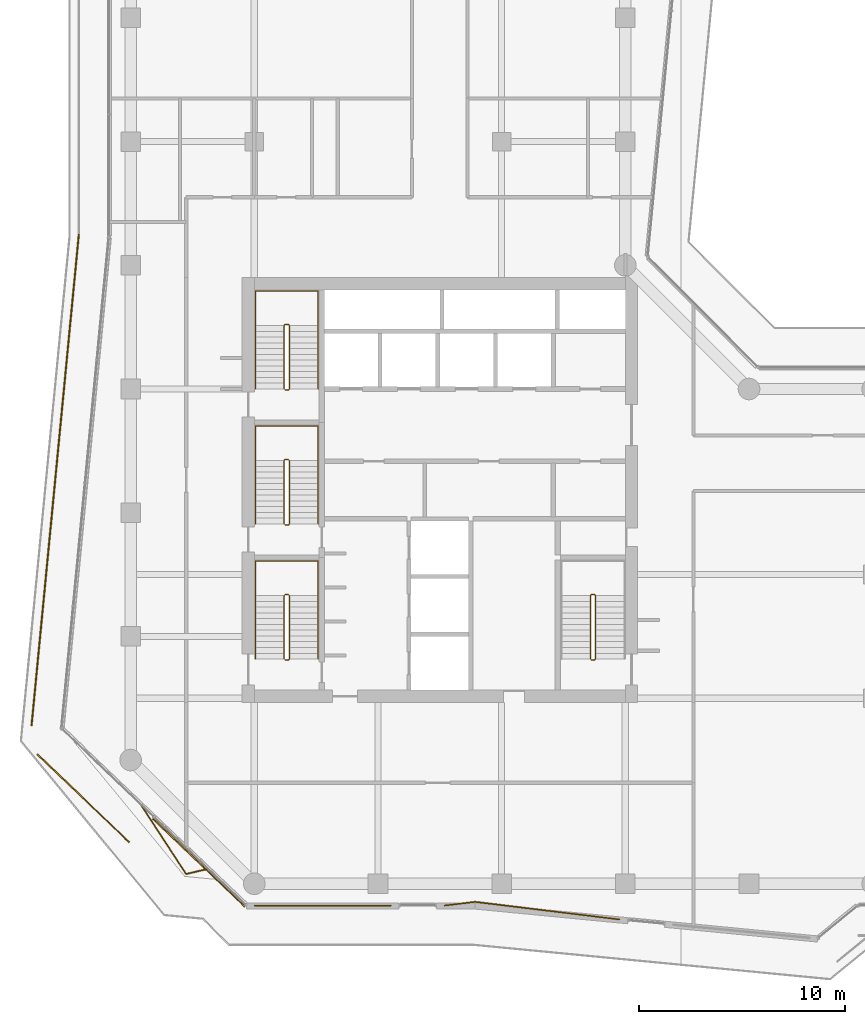
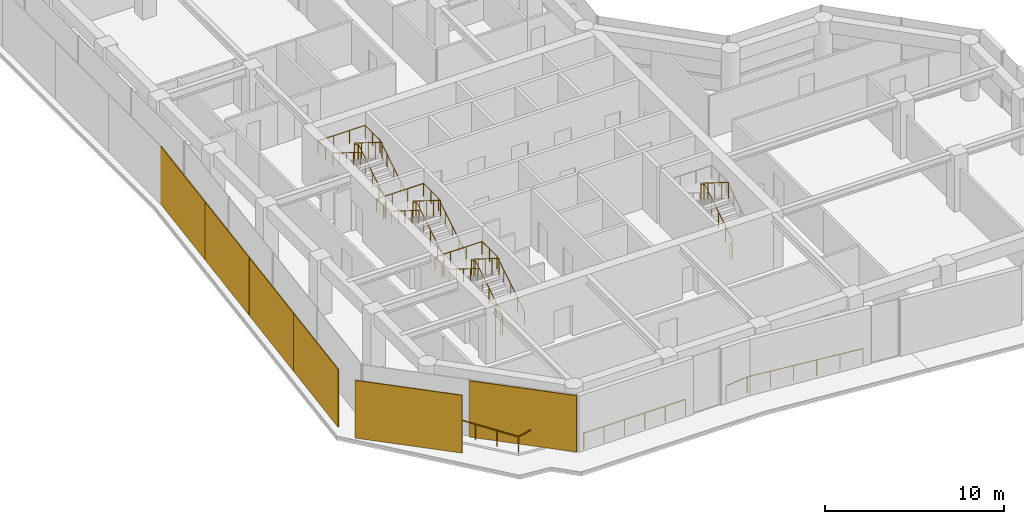
# One storey, part 22 of 23: 10 railings, 6 coverings.
"""IFC4 building model written with IfcOpenShell, lengths in metres."""

from ifc_helpers import new_model, si_unit, direction, frame, origin, origin_2d, place, context, subcontext, project, spatial, rectangle, circle, extrude, material, layer, layer_set, type_object, element, save


model = new_model("IFC4")

# Units and contexts
model_context = context("Model", 3, precision=1e-05, world=origin(), true_north=direction((0.0, 1.0)))
body_context = subcontext(model_context, "Body", "Model", "MODEL_VIEW")
ifc_project = project(units=[si_unit("LENGTHUNIT", "METRE"), si_unit("AREAUNIT", "SQUARE_METRE"), si_unit("VOLUMEUNIT", "CUBIC_METRE"), si_unit("PLANEANGLEUNIT", "RADIAN"), si_unit("MASSUNIT", "GRAM", prefix="KILO")], contexts=[model_context])

# Site, building, storey
site_placement = place(None, origin())
site = spatial("IfcSite", under=ifc_project, at=site_placement, CompositionType="ELEMENT")
building_placement = place(site_placement, origin())
building = spatial("IfcBuilding", under=site, at=building_placement, Name="Welwitschia Terrace Campus", CompositionType="ELEMENT")
storey_placement = place(building_placement, frame((0.0, 0.0, 146.60009765625)))
storey = spatial("IfcBuildingStorey", under=building, at=storey_placement, Name="L32", CompositionType="ELEMENT", Elevation=146.60009765625)

# Coverings
ifc_material_1 = material(Name="Bronze mesh aluminium screen", Category="aluminium")
ifc_layer = layer(ifc_material_1, 0.06005859375)
ifc_layer_set = layer_set([ifc_layer], Name="Bronze mesh aluminium screen")
covering_type = type_object("IfcCoveringType", Name="Bronze screen 60", PredefinedType="USERDEFINED", material=ifc_layer_set)
for number, where, z_axis, x_axis, name in (
    (1, (-2.79638671875, 24.533203125, 0.0), (0.0, 0.0, 1.0), (-0.09584575252, -0.995396198367, 0.0), "Screen L32.1.0"),
    (2, (-3.37060546875, 18.5703125, 0.0), (0.0, 0.0, 1.0), (-0.09584575252, -0.995396198367, 0.0), "Screen L32.1.1"),
    (3, (-3.944580078125, 12.607421875, 0.0), (0.0, 0.0, 1.0), (-0.09584575252, -0.995396198367, 0.0), "Screen L32.1.2"),
    (4, (-4.518798828125, 6.644775390625, 0.0), (0.0, 0.0, 1.0), (-0.09584575252, -0.995396198367, 0.0), "Screen L32.1.3"),
):
    element("IfcCovering", number, at=place(storey_placement, frame(where, z_axis=z_axis, x_axis=x_axis)), inside=storey, type_object=covering_type, Name=name, ObjectType="SCREEN", PredefinedType="USERDEFINED", context=body_context, shape_type="SweptSolid", body=[
        extrude(rectangle(XDim=5.970458984375, YDim=0.06005859375, at=origin_2d()), origin(), (0.0, 0.0, 1.0), 3.949951171875),
    ])
covering_1_placement = place(storey_placement, frame((-2.29248046875, 0.14404296875, 0.0), z_axis=(0.0, 0.0, 1.0), x_axis=(0.722587544279, -0.691279423137, 0.0)))
element("IfcCovering", 5, at=covering_1_placement, inside=storey, type_object=covering_type, Name="Screen L32.2.0", ObjectType="SCREEN", PredefinedType="USERDEFINED", context=body_context, shape_type="SweptSolid", body=[
    extrude(rectangle(XDim=6.18701171875, YDim=0.06005859375, at=origin_2d()), origin(), (0.0, 0.0, 1.0), 3.949951171875),
])
covering_2_placement = place(storey_placement, frame((3.310791015625, -2.977783203125, -0.000244140625), z_axis=(0.0, 0.0, 1.0), x_axis=(0.722587544279, -0.691279423137, 0.0)))
element("IfcCovering", 6, at=covering_2_placement, inside=storey, type_object=covering_type, Name="Screen L32.2.1", ObjectType="SCREEN", PredefinedType="USERDEFINED", context=body_context, shape_type="SweptSolid", body=[
    extrude(rectangle(XDim=6.18701171875, YDim=0.06005859375, at=origin_2d()), origin(), (0.0, 0.0, 1.0), 3.85009765625),
])

# Railings
ifc_material_2 = material(Name="Stainless steel grade 316", Category="steel")
railing_type_1 = type_object("IfcRailingType", Name="Guard 1100", PredefinedType="GUARDRAIL", material=ifc_material_2)
railing_1_placement = place(storey_placement, frame((3.75439453125, -3.277587890625, 0.0)))
element("IfcRailing", 7, at=railing_1_placement, inside=storey, type_object=railing_type_1, Name="Guard floor edge L32.0", PredefinedType="GUARDRAIL", context=body_context, shape_type="SweptSolid", body=[
    extrude(circle(Radius=0.02392578125, at=origin_2d()), frame((0.0, 0.0, 1.076171875), z_axis=(-0.972925881664, -0.231117348525, 0.0), x_axis=(0.231117348525, -0.972925881664, 0.0)), (0.0, 0.0, 1.0), 1.09326171875),
    extrude(circle(Radius=0.02392578125, at=origin_2d()), frame((-1.063720703125, -0.252685546875, 1.076171875), z_axis=(-0.547021847977, 0.83711832965, 0.0), x_axis=(-0.83711832965, -0.547021847977, 0.0)), (0.0, 0.0, 1.0), 4.048095703125),
    extrude(circle(Radius=0.02099609375, at=origin_2d()), origin(), (0.0, 0.0, 1.0), 1.052001953125),
    extrude(circle(Radius=0.02099609375, at=origin_2d()), frame((-1.063720703125, -0.252685546875, 0.0)), (0.0, 0.0, 1.0), 1.052001953125),
    extrude(circle(Radius=0.02099609375, at=origin_2d()), frame((-1.8017578125, 0.876953125, 0.0)), (0.0, 0.0, 1.0), 1.052001953125),
    extrude(circle(Radius=0.02099609375, at=origin_2d()), frame((-2.5400390625, 2.00634765625, 0.0)), (0.0, 0.0, 1.0), 1.052001953125),
    extrude(circle(Radius=0.02099609375, at=origin_2d()), frame((-3.278076171875, 3.135986328125, 0.0)), (0.0, 0.0, 1.0), 1.052001953125),
])
railing_2_placement = place(storey_placement, frame((12.616455078125, -5.05810546875, 0.0)))
element("IfcRailing", 8, at=railing_2_placement, inside=storey, type_object=railing_type_1, Name="Guard floor edge L32.2", PredefinedType="GUARDRAIL", context=body_context, shape_type="SweptSolid", body=[
    extrude(circle(Radius=0.02392578125, at=origin_2d()), frame((0.0, 0.0, 1.076171875), z_axis=(-1.0, 0.0, 0.0), x_axis=(0.0, -1.0, 0.0)), (0.0, 0.0, 1.0), 6.587890625),
    extrude(circle(Radius=0.02099609375, at=origin_2d()), origin(), (0.0, 0.0, 1.0), 1.052001953125),
    extrude(circle(Radius=0.02099609375, at=origin_2d()), frame((-1.317626953125, 0.0, 0.0)), (0.0, 0.0, 1.0), 1.052001953125),
    extrude(circle(Radius=0.02099609375, at=origin_2d()), frame((-2.63525390625, 0.0, 0.0)), (0.0, 0.0, 1.0), 1.052001953125),
    extrude(circle(Radius=0.02099609375, at=origin_2d()), frame((-3.95263671875, 0.0, 0.0)), (0.0, 0.0, 1.0), 1.052001953125),
    extrude(circle(Radius=0.02099609375, at=origin_2d()), frame((-5.270263671875, 0.0, 0.0)), (0.0, 0.0, 1.0), 1.052001953125),
    extrude(circle(Radius=0.02099609375, at=origin_2d()), frame((-6.587890625, 0.0, 0.0)), (0.0, 0.0, 1.0), 1.052001953125),
])
railing_3_placement = place(storey_placement, frame((23.710693359375, -5.73291015625, 0.0)))
element("IfcRailing", 9, at=railing_3_placement, inside=storey, type_object=railing_type_1, Name="Guard floor edge L32.3", PredefinedType="GUARDRAIL", context=body_context, shape_type="SweptSolid", body=[
    extrude(circle(Radius=0.02392578125, at=origin_2d()), frame((0.0, 0.0, 1.076171875), z_axis=(-0.992659668, 0.120941239975, 0.0), x_axis=(-0.120941239975, -0.992659668, 0.0)), (0.0, 0.0, 1.0), 7.05322265625),
    extrude(circle(Radius=0.02392578125, at=origin_2d()), frame((-7.00146484375, 0.85302734375, 1.076171875), z_axis=(-0.992699050053, -0.120617561008, 0.0), x_axis=(0.120617561008, -0.992699050053, 0.0)), (0.0, 0.0, 1.0), 1.4775390625),
    extrude(circle(Radius=0.02099609375, at=origin_2d()), origin(), (0.0, 0.0, 1.0), 1.052001953125),
    extrude(circle(Radius=0.02099609375, at=origin_2d()), frame((-1.400390625, 0.170654296875, 0.0)), (0.0, 0.0, 1.0), 1.052001953125),
    extrude(circle(Radius=0.02099609375, at=origin_2d()), frame((-2.800537109375, 0.34130859375, 0.0)), (0.0, 0.0, 1.0), 1.052001953125),
    extrude(circle(Radius=0.02099609375, at=origin_2d()), frame((-4.200927734375, 0.51171875, 0.0)), (0.0, 0.0, 1.0), 1.052001953125),
    extrude(circle(Radius=0.02099609375, at=origin_2d()), frame((-5.60107421875, 0.682373046875, 0.0)), (0.0, 0.0, 1.0), 1.052001953125),
    extrude(circle(Radius=0.02099609375, at=origin_2d()), frame((-7.00146484375, 0.85302734375, 0.0)), (0.0, 0.0, 1.0), 1.052001953125),
    extrude(circle(Radius=0.02099609375, at=origin_2d()), frame((-8.46826171875, 0.6748046875, 0.0)), (0.0, 0.0, 1.0), 1.052001953125),
])
ifc_material_3 = material(Name="Steel S355", Category="steel")
railing_type_2 = type_object("IfcRailingType", Name="Stair guard 1100", PredefinedType="GUARDRAIL", material=ifc_material_3)
railing_4_placement = place(storey_placement, frame((7.5, 6.85009765625, 0.0)))
element("IfcRailing", 10, at=railing_4_placement, inside=storey, type_object=railing_type_2, Name="L32 S1 stair guard", PredefinedType="GUARDRAIL", context=body_context, shape_type="SweptSolid", body=[
    extrude(circle(Radius=0.02392578125, at=origin_2d()), frame((0.0, 0.0, 1.076171875), z_axis=(1.0, 0.0, 0.0), x_axis=(0.0, 1.0, 0.0)), (0.0, 0.0, 1.0), 0.14990234375),
    extrude(circle(Radius=0.02392578125, at=origin_2d()), frame((0.14990234375, 0.0, 1.076171875), z_axis=(0.265474339444, 0.264179342666, 0.927217692888), x_axis=(-0.705375805398, 0.708833529934, 0.0)), (0.0, 0.0, 1.0), 0.1884765625),
    extrude(circle(Radius=0.02392578125, at=origin_2d()), frame((0.199951171875, 0.0498046875, 1.2509765625), z_axis=(0.0, 0.847998304005, 0.529998940003), x_axis=(-1.0, 0.0, 0.0)), (0.0, 0.0, 1.0), 3.632080078125),
    extrude(circle(Radius=0.02392578125, at=origin_2d()), frame((0.199951171875, 3.1298828125, 3.17578125), z_axis=(-0.707106781187, 0.707106781187, 0.0), x_axis=(-0.707106781187, -0.707106781187, 0.0)), (0.0, 0.0, 1.0), 0.07080078125),
    extrude(circle(Radius=0.02392578125, at=origin_2d()), frame((0.14990234375, 3.179931640625, 3.17578125), z_axis=(-1.0, 0.0, 0.0), x_axis=(0.0, -1.0, 0.0)), (0.0, 0.0, 1.0), 0.14990234375),
    extrude(circle(Radius=0.02392578125, at=origin_2d()), frame((0.0, 3.179931640625, 3.17578125), z_axis=(-0.265065253269, -0.265065253269, 0.927081885822), x_axis=(0.707106781187, -0.707106781187, 0.0)), (0.0, 0.0, 1.0), 0.188720703125),
    extrude(circle(Radius=0.02392578125, at=origin_2d()), frame((-0.050048828125, 3.1298828125, 3.35107421875), z_axis=(0.0, -0.847998304005, 0.529998940003), x_axis=(1.0, 0.0, 0.0)), (0.0, 0.0, 1.0), 3.632080078125),
    extrude(circle(Radius=0.02099609375, at=origin_2d()), origin(), (0.0, 0.0, 1.0), 1.052001953125),
    extrude(circle(Radius=0.02099609375, at=origin_2d()), frame((0.14990234375, 0.0, 0.0)), (0.0, 0.0, 1.0), 1.052001953125),
    extrude(circle(Radius=0.02099609375, at=origin_2d()), frame((0.199951171875, 0.0498046875, 0.1748046875)), (0.0, 0.0, 1.0), 1.052001953125),
    extrude(circle(Radius=0.02099609375, at=origin_2d()), frame((0.199951171875, 0.81982421875, 0.656005859375)), (0.0, 0.0, 1.0), 1.052001953125),
    extrude(circle(Radius=0.02099609375, at=origin_2d()), frame((0.199951171875, 1.58984375, 1.13720703125)), (0.0, 0.0, 1.0), 1.052001953125),
    extrude(circle(Radius=0.02099609375, at=origin_2d()), frame((0.199951171875, 2.35986328125, 1.61865234375)), (0.0, 0.0, 1.0), 1.052001953125),
    extrude(circle(Radius=0.02099609375, at=origin_2d()), frame((0.199951171875, 3.1298828125, 2.099853515625)), (0.0, 0.0, 1.0), 1.052001953125),
    extrude(circle(Radius=0.02099609375, at=origin_2d()), frame((0.14990234375, 3.179931640625, 2.099853515625)), (0.0, 0.0, 1.0), 1.052001953125),
    extrude(circle(Radius=0.02099609375, at=origin_2d()), frame((0.0, 3.179931640625, 2.099853515625)), (0.0, 0.0, 1.0), 1.052001953125),
    extrude(circle(Radius=0.02099609375, at=origin_2d()), frame((-0.050048828125, 3.1298828125, 2.27490234375)), (0.0, 0.0, 1.0), 1.052001953125),
    extrude(circle(Radius=0.02099609375, at=origin_2d()), frame((-0.050048828125, 2.35986328125, 2.756103515625)), (0.0, 0.0, 1.0), 1.052001953125),
    extrude(circle(Radius=0.02099609375, at=origin_2d()), frame((-0.050048828125, 1.58984375, 3.2373046875)), (0.0, 0.0, 1.0), 1.052001953125),
    extrude(circle(Radius=0.02099609375, at=origin_2d()), frame((-0.050048828125, 0.81982421875, 3.71875)), (0.0, 0.0, 1.0), 1.052001953125),
    extrude(circle(Radius=0.02099609375, at=origin_2d()), frame((-0.050048828125, 0.0498046875, 4.199951171875)), (0.0, 0.0, 1.0), 1.052001953125),
])
railing_5_placement = place(storey_placement, frame((7.5, 13.39990234375, 0.0)))
element("IfcRailing", 11, at=railing_5_placement, inside=storey, type_object=railing_type_2, Name="L32 S3 stair guard", PredefinedType="GUARDRAIL", context=body_context, shape_type="SweptSolid", body=[
    extrude(circle(Radius=0.02392578125, at=origin_2d()), frame((0.0, 0.0, 1.076171875), z_axis=(1.0, 0.0, 0.0), x_axis=(0.0, 1.0, 0.0)), (0.0, 0.0, 1.0), 0.14990234375),
    extrude(circle(Radius=0.02392578125, at=origin_2d()), frame((0.14990234375, 0.0, 1.076171875), z_axis=(0.265383341853, 0.265383341853, 0.926899867156), x_axis=(-0.707106781187, 0.707106781187, 0.0)), (0.0, 0.0, 1.0), 0.1884765625),
    extrude(circle(Radius=0.02392578125, at=origin_2d()), frame((0.199951171875, 0.050048828125, 1.2509765625), z_axis=(0.0, 0.847998304005, 0.529998940003), x_axis=(-1.0, 0.0, 0.0)), (0.0, 0.0, 1.0), 3.632080078125),
    extrude(circle(Radius=0.02392578125, at=origin_2d()), frame((0.199951171875, 3.130126953125, 3.17578125), z_axis=(-0.707106781187, 0.707106781187, 0.0), x_axis=(-0.707106781187, -0.707106781187, 0.0)), (0.0, 0.0, 1.0), 0.07080078125),
    extrude(circle(Radius=0.02392578125, at=origin_2d()), frame((0.14990234375, 3.18017578125, 3.17578125), z_axis=(-1.0, 0.0, 0.0), x_axis=(0.0, -1.0, 0.0)), (0.0, 0.0, 1.0), 0.14990234375),
    extrude(circle(Radius=0.02392578125, at=origin_2d()), frame((0.0, 3.18017578125, 3.17578125), z_axis=(-0.265065253269, -0.265065253269, 0.927081885822), x_axis=(0.707106781187, -0.707106781187, 0.0)), (0.0, 0.0, 1.0), 0.188720703125),
    extrude(circle(Radius=0.02392578125, at=origin_2d()), frame((-0.050048828125, 3.130126953125, 3.35107421875), z_axis=(0.0, -0.847998304005, 0.529998940003), x_axis=(1.0, 0.0, 0.0)), (0.0, 0.0, 1.0), 3.632080078125),
    extrude(circle(Radius=0.02099609375, at=origin_2d()), origin(), (0.0, 0.0, 1.0), 1.052001953125),
    extrude(circle(Radius=0.02099609375, at=origin_2d()), frame((0.14990234375, 0.0, 0.0)), (0.0, 0.0, 1.0), 1.052001953125),
    extrude(circle(Radius=0.02099609375, at=origin_2d()), frame((0.199951171875, 0.050048828125, 0.1748046875)), (0.0, 0.0, 1.0), 1.052001953125),
    extrude(circle(Radius=0.02099609375, at=origin_2d()), frame((0.199951171875, 0.820068359375, 0.656005859375)), (0.0, 0.0, 1.0), 1.052001953125),
    extrude(circle(Radius=0.02099609375, at=origin_2d()), frame((0.199951171875, 1.590087890625, 1.13720703125)), (0.0, 0.0, 1.0), 1.052001953125),
    extrude(circle(Radius=0.02099609375, at=origin_2d()), frame((0.199951171875, 2.360107421875, 1.61865234375)), (0.0, 0.0, 1.0), 1.052001953125),
    extrude(circle(Radius=0.02099609375, at=origin_2d()), frame((0.199951171875, 3.130126953125, 2.099853515625)), (0.0, 0.0, 1.0), 1.052001953125),
    extrude(circle(Radius=0.02099609375, at=origin_2d()), frame((0.14990234375, 3.18017578125, 2.099853515625)), (0.0, 0.0, 1.0), 1.052001953125),
    extrude(circle(Radius=0.02099609375, at=origin_2d()), frame((0.0, 3.18017578125, 2.099853515625)), (0.0, 0.0, 1.0), 1.052001953125),
    extrude(circle(Radius=0.02099609375, at=origin_2d()), frame((-0.050048828125, 3.130126953125, 2.27490234375)), (0.0, 0.0, 1.0), 1.052001953125),
    extrude(circle(Radius=0.02099609375, at=origin_2d()), frame((-0.050048828125, 2.360107421875, 2.756103515625)), (0.0, 0.0, 1.0), 1.052001953125),
    extrude(circle(Radius=0.02099609375, at=origin_2d()), frame((-0.050048828125, 1.590087890625, 3.2373046875)), (0.0, 0.0, 1.0), 1.052001953125),
    extrude(circle(Radius=0.02099609375, at=origin_2d()), frame((-0.050048828125, 0.820068359375, 3.71875)), (0.0, 0.0, 1.0), 1.052001953125),
    extrude(circle(Radius=0.02099609375, at=origin_2d()), frame((-0.050048828125, 0.050048828125, 4.199951171875)), (0.0, 0.0, 1.0), 1.052001953125),
])
railing_6_placement = place(storey_placement, frame((7.5, 19.949951171875, 0.0)))
element("IfcRailing", 12, at=railing_6_placement, inside=storey, type_object=railing_type_2, Name="L32 S4 stair guard", PredefinedType="GUARDRAIL", context=body_context, shape_type="SweptSolid", body=[
    extrude(circle(Radius=0.02392578125, at=origin_2d()), frame((0.0, 0.0, 1.076171875), z_axis=(1.0, 0.0, 0.0), x_axis=(0.0, 1.0, 0.0)), (0.0, 0.0, 1.0), 0.14990234375),
    extrude(circle(Radius=0.02392578125, at=origin_2d()), frame((0.14990234375, 0.0, 1.076171875), z_axis=(0.265383341853, 0.265383341853, 0.926899867156), x_axis=(-0.707106781187, 0.707106781187, 0.0)), (0.0, 0.0, 1.0), 0.1884765625),
    extrude(circle(Radius=0.02392578125, at=origin_2d()), frame((0.199951171875, 0.050048828125, 1.2509765625), z_axis=(0.0, 0.847998304005, 0.529998940003), x_axis=(-1.0, 0.0, 0.0)), (0.0, 0.0, 1.0), 3.632080078125),
    extrude(circle(Radius=0.02392578125, at=origin_2d()), frame((0.199951171875, 3.130126953125, 3.17578125), z_axis=(-0.708833529934, 0.705375805398, 0.0), x_axis=(-0.705375805398, -0.708833529934, 0.0)), (0.0, 0.0, 1.0), 0.070556640625),
    extrude(circle(Radius=0.02392578125, at=origin_2d()), frame((0.14990234375, 3.179931640625, 3.17578125), z_axis=(-1.0, 0.0, 0.0), x_axis=(0.0, -1.0, 0.0)), (0.0, 0.0, 1.0), 0.14990234375),
    extrude(circle(Radius=0.02392578125, at=origin_2d()), frame((0.0, 3.179931640625, 3.17578125), z_axis=(-0.265155923931, -0.263862480399, 0.927399011991), x_axis=(0.705375805398, -0.708833529934, 0.0)), (0.0, 0.0, 1.0), 0.188720703125),
    extrude(circle(Radius=0.02392578125, at=origin_2d()), frame((-0.050048828125, 3.130126953125, 3.35107421875), z_axis=(0.0, -0.847998304005, 0.529998940003), x_axis=(1.0, 0.0, 0.0)), (0.0, 0.0, 1.0), 3.632080078125),
    extrude(circle(Radius=0.02099609375, at=origin_2d()), origin(), (0.0, 0.0, 1.0), 1.052001953125),
    extrude(circle(Radius=0.02099609375, at=origin_2d()), frame((0.14990234375, 0.0, 0.0)), (0.0, 0.0, 1.0), 1.052001953125),
    extrude(circle(Radius=0.02099609375, at=origin_2d()), frame((0.199951171875, 0.050048828125, 0.1748046875)), (0.0, 0.0, 1.0), 1.052001953125),
    extrude(circle(Radius=0.02099609375, at=origin_2d()), frame((0.199951171875, 0.820068359375, 0.656005859375)), (0.0, 0.0, 1.0), 1.052001953125),
    extrude(circle(Radius=0.02099609375, at=origin_2d()), frame((0.199951171875, 1.590087890625, 1.13720703125)), (0.0, 0.0, 1.0), 1.052001953125),
    extrude(circle(Radius=0.02099609375, at=origin_2d()), frame((0.199951171875, 2.360107421875, 1.61865234375)), (0.0, 0.0, 1.0), 1.052001953125),
    extrude(circle(Radius=0.02099609375, at=origin_2d()), frame((0.199951171875, 3.130126953125, 2.099853515625)), (0.0, 0.0, 1.0), 1.052001953125),
    extrude(circle(Radius=0.02099609375, at=origin_2d()), frame((0.14990234375, 3.179931640625, 2.099853515625)), (0.0, 0.0, 1.0), 1.052001953125),
    extrude(circle(Radius=0.02099609375, at=origin_2d()), frame((0.0, 3.179931640625, 2.099853515625)), (0.0, 0.0, 1.0), 1.052001953125),
    extrude(circle(Radius=0.02099609375, at=origin_2d()), frame((-0.050048828125, 3.130126953125, 2.27490234375)), (0.0, 0.0, 1.0), 1.052001953125),
    extrude(circle(Radius=0.02099609375, at=origin_2d()), frame((-0.050048828125, 2.360107421875, 2.756103515625)), (0.0, 0.0, 1.0), 1.052001953125),
    extrude(circle(Radius=0.02099609375, at=origin_2d()), frame((-0.050048828125, 1.590087890625, 3.2373046875)), (0.0, 0.0, 1.0), 1.052001953125),
    extrude(circle(Radius=0.02099609375, at=origin_2d()), frame((-0.050048828125, 0.820068359375, 3.71875)), (0.0, 0.0, 1.0), 1.052001953125),
    extrude(circle(Radius=0.02099609375, at=origin_2d()), frame((-0.050048828125, 0.050048828125, 4.199951171875)), (0.0, 0.0, 1.0), 1.052001953125),
])
railing_7_placement = place(storey_placement, frame((22.35009765625, 6.85009765625, 0.0)))
element("IfcRailing", 13, at=railing_7_placement, inside=storey, type_object=railing_type_2, Name="L32 S2 stair guard", PredefinedType="GUARDRAIL", context=body_context, shape_type="SweptSolid", body=[
    extrude(circle(Radius=0.02392578125, at=origin_2d()), frame((0.0, 0.0, 1.076171875), z_axis=(1.0, 0.0, 0.0), x_axis=(0.0, 1.0, 0.0)), (0.0, 0.0, 1.0), 0.14990234375),
    extrude(circle(Radius=0.02392578125, at=origin_2d()), frame((0.14990234375, 0.0, 1.076171875), z_axis=(0.265474339444, 0.264179342666, 0.927217692888), x_axis=(-0.705375805398, 0.708833529934, 0.0)), (0.0, 0.0, 1.0), 0.1884765625),
    extrude(circle(Radius=0.02392578125, at=origin_2d()), frame((0.199951171875, 0.0498046875, 1.2509765625), z_axis=(0.0, 0.847998304005, 0.529998940003), x_axis=(-1.0, 0.0, 0.0)), (0.0, 0.0, 1.0), 3.632080078125),
    extrude(circle(Radius=0.02392578125, at=origin_2d()), frame((0.199951171875, 3.1298828125, 3.17578125), z_axis=(-0.707106781187, 0.707106781187, 0.0), x_axis=(-0.707106781187, -0.707106781187, 0.0)), (0.0, 0.0, 1.0), 0.07080078125),
    extrude(circle(Radius=0.02392578125, at=origin_2d()), frame((0.14990234375, 3.179931640625, 3.17578125), z_axis=(-1.0, 0.0, 0.0), x_axis=(0.0, -1.0, 0.0)), (0.0, 0.0, 1.0), 0.14990234375),
    extrude(circle(Radius=0.02392578125, at=origin_2d()), frame((0.0, 3.179931640625, 3.17578125), z_axis=(-0.265065253269, -0.265065253269, 0.927081885822), x_axis=(0.707106781187, -0.707106781187, 0.0)), (0.0, 0.0, 1.0), 0.188720703125),
    extrude(circle(Radius=0.02392578125, at=origin_2d()), frame((-0.050048828125, 3.1298828125, 3.35107421875), z_axis=(0.0, -0.847998304005, 0.529998940003), x_axis=(1.0, 0.0, 0.0)), (0.0, 0.0, 1.0), 3.632080078125),
    extrude(circle(Radius=0.02099609375, at=origin_2d()), origin(), (0.0, 0.0, 1.0), 1.052001953125),
    extrude(circle(Radius=0.02099609375, at=origin_2d()), frame((0.14990234375, 0.0, 0.0)), (0.0, 0.0, 1.0), 1.052001953125),
    extrude(circle(Radius=0.02099609375, at=origin_2d()), frame((0.199951171875, 0.0498046875, 0.1748046875)), (0.0, 0.0, 1.0), 1.052001953125),
    extrude(circle(Radius=0.02099609375, at=origin_2d()), frame((0.199951171875, 0.81982421875, 0.656005859375)), (0.0, 0.0, 1.0), 1.052001953125),
    extrude(circle(Radius=0.02099609375, at=origin_2d()), frame((0.199951171875, 1.58984375, 1.13720703125)), (0.0, 0.0, 1.0), 1.052001953125),
    extrude(circle(Radius=0.02099609375, at=origin_2d()), frame((0.199951171875, 2.35986328125, 1.61865234375)), (0.0, 0.0, 1.0), 1.052001953125),
    extrude(circle(Radius=0.02099609375, at=origin_2d()), frame((0.199951171875, 3.1298828125, 2.099853515625)), (0.0, 0.0, 1.0), 1.052001953125),
    extrude(circle(Radius=0.02099609375, at=origin_2d()), frame((0.14990234375, 3.179931640625, 2.099853515625)), (0.0, 0.0, 1.0), 1.052001953125),
    extrude(circle(Radius=0.02099609375, at=origin_2d()), frame((0.0, 3.179931640625, 2.099853515625)), (0.0, 0.0, 1.0), 1.052001953125),
    extrude(circle(Radius=0.02099609375, at=origin_2d()), frame((-0.050048828125, 3.1298828125, 2.27490234375)), (0.0, 0.0, 1.0), 1.052001953125),
    extrude(circle(Radius=0.02099609375, at=origin_2d()), frame((-0.050048828125, 2.35986328125, 2.756103515625)), (0.0, 0.0, 1.0), 1.052001953125),
    extrude(circle(Radius=0.02099609375, at=origin_2d()), frame((-0.050048828125, 1.58984375, 3.2373046875)), (0.0, 0.0, 1.0), 1.052001953125),
    extrude(circle(Radius=0.02099609375, at=origin_2d()), frame((-0.050048828125, 0.81982421875, 3.71875)), (0.0, 0.0, 1.0), 1.052001953125),
    extrude(circle(Radius=0.02099609375, at=origin_2d()), frame((-0.050048828125, 0.0498046875, 4.199951171875)), (0.0, 0.0, 1.0), 1.052001953125),
])
ifc_material_4 = material(Name="Steel S355", Category="steel")
railing_type_3 = type_object("IfcRailingType", Name="Stair handrail 900", PredefinedType="HANDRAIL", material=ifc_material_4)
railing_8_placement = place(storey_placement, frame((9.10009765625, 6.89990234375, 0.1748046875)))
element("IfcRailing", 14, at=railing_8_placement, inside=storey, type_object=railing_type_3, Name="L32 S1 stair handrail", PredefinedType="HANDRAIL", context=body_context, shape_type="SweptSolid", body=[
    extrude(circle(Radius=0.02392578125, at=origin_2d()), frame((0.0, 0.0, 0.8759765625), z_axis=(0.0, 0.847998304005, 0.529998940003), x_axis=(-1.0, 0.0, 0.0)), (0.0, 0.0, 1.0), 3.632080078125),
    extrude(circle(Radius=0.02392578125, at=origin_2d()), frame((0.0, 3.080078125, 2.80078125), z_axis=(0.0, 1.0, 0.0), x_axis=(-1.0, 0.0, 0.0)), (0.0, 0.0, 1.0), 1.669921875),
    extrude(circle(Radius=0.02392578125, at=origin_2d()), frame((0.0, 4.75, 2.80078125), z_axis=(-1.0, 0.0, 0.0), x_axis=(0.0, -1.0, 0.0)), (0.0, 0.0, 1.0), 3.050048828125),
    extrude(circle(Radius=0.02392578125, at=origin_2d()), frame((-3.050048828125, 4.75, 2.80078125), z_axis=(0.0, -0.99455077262, 0.104253348533), x_axis=(1.0, 0.0, 0.0)), (0.0, 0.0, 1.0), 1.678955078125),
    extrude(circle(Radius=0.02392578125, at=origin_2d()), frame((-3.050048828125, 3.080078125, 2.97607421875), z_axis=(0.0, -0.847998304005, 0.529998940003), x_axis=(1.0, 0.0, 0.0)), (0.0, 0.0, 1.0), 3.632080078125),
    extrude(circle(Radius=0.02099609375, at=origin_2d()), origin(), (0.0, 0.0, 1.0), 0.851806640625),
    extrude(circle(Radius=0.02099609375, at=origin_2d()), frame((0.0, 0.77001953125, 0.481201171875)), (0.0, 0.0, 1.0), 0.851806640625),
    extrude(circle(Radius=0.02099609375, at=origin_2d()), frame((0.0, 1.5400390625, 0.96240234375)), (0.0, 0.0, 1.0), 0.851806640625),
    extrude(circle(Radius=0.02099609375, at=origin_2d()), frame((0.0, 2.31005859375, 1.44384765625)), (0.0, 0.0, 1.0), 0.851806640625),
    extrude(circle(Radius=0.02099609375, at=origin_2d()), frame((0.0, 3.080078125, 1.925048828125)), (0.0, 0.0, 1.0), 0.851806640625),
    extrude(circle(Radius=0.02099609375, at=origin_2d()), frame((0.0, 3.9150390625, 1.925048828125)), (0.0, 0.0, 1.0), 0.851806640625),
    extrude(circle(Radius=0.02099609375, at=origin_2d()), frame((0.0, 4.75, 1.925048828125)), (0.0, 0.0, 1.0), 0.851806640625),
    extrude(circle(Radius=0.02099609375, at=origin_2d()), frame((-1.0166015625, 4.75, 1.925048828125)), (0.0, 0.0, 1.0), 0.851806640625),
    extrude(circle(Radius=0.02099609375, at=origin_2d()), frame((-2.033447265625, 4.75, 1.925048828125)), (0.0, 0.0, 1.0), 0.851806640625),
    extrude(circle(Radius=0.02099609375, at=origin_2d()), frame((-3.050048828125, 4.75, 1.925048828125)), (0.0, 0.0, 1.0), 0.851806640625),
    extrude(circle(Radius=0.02099609375, at=origin_2d()), frame((-3.050048828125, 3.9150390625, 2.0126953125)), (0.0, 0.0, 1.0), 0.851806640625),
    extrude(circle(Radius=0.02099609375, at=origin_2d()), frame((-3.050048828125, 3.080078125, 2.10009765625)), (0.0, 0.0, 1.0), 0.851806640625),
    extrude(circle(Radius=0.02099609375, at=origin_2d()), frame((-3.050048828125, 2.31005859375, 2.581298828125)), (0.0, 0.0, 1.0), 0.851806640625),
    extrude(circle(Radius=0.02099609375, at=origin_2d()), frame((-3.050048828125, 1.5400390625, 3.0625)), (0.0, 0.0, 1.0), 0.851806640625),
    extrude(circle(Radius=0.02099609375, at=origin_2d()), frame((-3.050048828125, 0.77001953125, 3.5439453125)), (0.0, 0.0, 1.0), 0.851806640625),
    extrude(circle(Radius=0.02099609375, at=origin_2d()), frame((-3.050048828125, 0.0, 4.025146484375)), (0.0, 0.0, 1.0), 0.851806640625),
])
railing_9_placement = place(storey_placement, frame((9.10009765625, 13.449951171875, 0.1748046875)))
element("IfcRailing", 15, at=railing_9_placement, inside=storey, type_object=railing_type_3, Name="L32 S3 stair handrail", PredefinedType="HANDRAIL", context=body_context, shape_type="SweptSolid", body=[
    extrude(circle(Radius=0.02392578125, at=origin_2d()), frame((0.0, 0.0, 0.8759765625), z_axis=(0.0, 0.847998304005, 0.529998940003), x_axis=(-1.0, 0.0, 0.0)), (0.0, 0.0, 1.0), 3.632080078125),
    extrude(circle(Radius=0.02392578125, at=origin_2d()), frame((0.0, 3.080078125, 2.80078125), z_axis=(0.0, 1.0, 0.0), x_axis=(-1.0, 0.0, 0.0)), (0.0, 0.0, 1.0), 1.669921875),
    extrude(circle(Radius=0.02392578125, at=origin_2d()), frame((0.0, 4.75, 2.80078125), z_axis=(-1.0, 0.0, 0.0), x_axis=(0.0, -1.0, 0.0)), (0.0, 0.0, 1.0), 3.050048828125),
    extrude(circle(Radius=0.02392578125, at=origin_2d()), frame((-3.050048828125, 4.75, 2.80078125), z_axis=(0.0, -0.99455077262, 0.104253348533), x_axis=(1.0, 0.0, 0.0)), (0.0, 0.0, 1.0), 1.678955078125),
    extrude(circle(Radius=0.02392578125, at=origin_2d()), frame((-3.050048828125, 3.080078125, 2.97607421875), z_axis=(0.0, -0.847998304005, 0.529998940003), x_axis=(1.0, 0.0, 0.0)), (0.0, 0.0, 1.0), 3.632080078125),
    extrude(circle(Radius=0.02099609375, at=origin_2d()), origin(), (0.0, 0.0, 1.0), 0.851806640625),
    extrude(circle(Radius=0.02099609375, at=origin_2d()), frame((0.0, 0.77001953125, 0.481201171875)), (0.0, 0.0, 1.0), 0.851806640625),
    extrude(circle(Radius=0.02099609375, at=origin_2d()), frame((0.0, 1.5400390625, 0.96240234375)), (0.0, 0.0, 1.0), 0.851806640625),
    extrude(circle(Radius=0.02099609375, at=origin_2d()), frame((0.0, 2.31005859375, 1.44384765625)), (0.0, 0.0, 1.0), 0.851806640625),
    extrude(circle(Radius=0.02099609375, at=origin_2d()), frame((0.0, 3.080078125, 1.925048828125)), (0.0, 0.0, 1.0), 0.851806640625),
    extrude(circle(Radius=0.02099609375, at=origin_2d()), frame((0.0, 3.9150390625, 1.925048828125)), (0.0, 0.0, 1.0), 0.851806640625),
    extrude(circle(Radius=0.02099609375, at=origin_2d()), frame((0.0, 4.75, 1.925048828125)), (0.0, 0.0, 1.0), 0.851806640625),
    extrude(circle(Radius=0.02099609375, at=origin_2d()), frame((-1.0166015625, 4.75, 1.925048828125)), (0.0, 0.0, 1.0), 0.851806640625),
    extrude(circle(Radius=0.02099609375, at=origin_2d()), frame((-2.033447265625, 4.75, 1.925048828125)), (0.0, 0.0, 1.0), 0.851806640625),
    extrude(circle(Radius=0.02099609375, at=origin_2d()), frame((-3.050048828125, 4.75, 1.925048828125)), (0.0, 0.0, 1.0), 0.851806640625),
    extrude(circle(Radius=0.02099609375, at=origin_2d()), frame((-3.050048828125, 3.9150390625, 2.0126953125)), (0.0, 0.0, 1.0), 0.851806640625),
    extrude(circle(Radius=0.02099609375, at=origin_2d()), frame((-3.050048828125, 3.080078125, 2.10009765625)), (0.0, 0.0, 1.0), 0.851806640625),
    extrude(circle(Radius=0.02099609375, at=origin_2d()), frame((-3.050048828125, 2.31005859375, 2.581298828125)), (0.0, 0.0, 1.0), 0.851806640625),
    extrude(circle(Radius=0.02099609375, at=origin_2d()), frame((-3.050048828125, 1.5400390625, 3.0625)), (0.0, 0.0, 1.0), 0.851806640625),
    extrude(circle(Radius=0.02099609375, at=origin_2d()), frame((-3.050048828125, 0.77001953125, 3.5439453125)), (0.0, 0.0, 1.0), 0.851806640625),
    extrude(circle(Radius=0.02099609375, at=origin_2d()), frame((-3.050048828125, 0.0, 4.025146484375)), (0.0, 0.0, 1.0), 0.851806640625),
])
railing_10_placement = place(storey_placement, frame((9.10009765625, 20.0, 0.1748046875)))
element("IfcRailing", 16, at=railing_10_placement, inside=storey, type_object=railing_type_3, Name="L32 S4 stair handrail", PredefinedType="HANDRAIL", context=body_context, shape_type="SweptSolid", body=[
    extrude(circle(Radius=0.02392578125, at=origin_2d()), frame((0.0, 0.0, 0.8759765625), z_axis=(0.0, 0.847998304005, 0.529998940003), x_axis=(-1.0, 0.0, 0.0)), (0.0, 0.0, 1.0), 3.632080078125),
    extrude(circle(Radius=0.02392578125, at=origin_2d()), frame((0.0, 3.080078125, 2.80078125), z_axis=(0.0, 1.0, 0.0), x_axis=(-1.0, 0.0, 0.0)), (0.0, 0.0, 1.0), 1.669921875),
    extrude(circle(Radius=0.02392578125, at=origin_2d()), frame((0.0, 4.75, 2.80078125), z_axis=(-1.0, 0.0, 0.0), x_axis=(0.0, -1.0, 0.0)), (0.0, 0.0, 1.0), 3.050048828125),
    extrude(circle(Radius=0.02392578125, at=origin_2d()), frame((-3.050048828125, 4.75, 2.80078125), z_axis=(0.0, -0.99455077262, 0.104253348533), x_axis=(1.0, 0.0, 0.0)), (0.0, 0.0, 1.0), 1.678955078125),
    extrude(circle(Radius=0.02392578125, at=origin_2d()), frame((-3.050048828125, 3.080078125, 2.97607421875), z_axis=(0.0, -0.847998304005, 0.529998940003), x_axis=(1.0, 0.0, 0.0)), (0.0, 0.0, 1.0), 3.632080078125),
    extrude(circle(Radius=0.02099609375, at=origin_2d()), origin(), (0.0, 0.0, 1.0), 0.851806640625),
    extrude(circle(Radius=0.02099609375, at=origin_2d()), frame((0.0, 0.77001953125, 0.481201171875)), (0.0, 0.0, 1.0), 0.851806640625),
    extrude(circle(Radius=0.02099609375, at=origin_2d()), frame((0.0, 1.5400390625, 0.96240234375)), (0.0, 0.0, 1.0), 0.851806640625),
    extrude(circle(Radius=0.02099609375, at=origin_2d()), frame((0.0, 2.31005859375, 1.44384765625)), (0.0, 0.0, 1.0), 0.851806640625),
    extrude(circle(Radius=0.02099609375, at=origin_2d()), frame((0.0, 3.080078125, 1.925048828125)), (0.0, 0.0, 1.0), 0.851806640625),
    extrude(circle(Radius=0.02099609375, at=origin_2d()), frame((0.0, 3.9150390625, 1.925048828125)), (0.0, 0.0, 1.0), 0.851806640625),
    extrude(circle(Radius=0.02099609375, at=origin_2d()), frame((0.0, 4.75, 1.925048828125)), (0.0, 0.0, 1.0), 0.851806640625),
    extrude(circle(Radius=0.02099609375, at=origin_2d()), frame((-1.0166015625, 4.75, 1.925048828125)), (0.0, 0.0, 1.0), 0.851806640625),
    extrude(circle(Radius=0.02099609375, at=origin_2d()), frame((-2.033447265625, 4.75, 1.925048828125)), (0.0, 0.0, 1.0), 0.851806640625),
    extrude(circle(Radius=0.02099609375, at=origin_2d()), frame((-3.050048828125, 4.75, 1.925048828125)), (0.0, 0.0, 1.0), 0.851806640625),
    extrude(circle(Radius=0.02099609375, at=origin_2d()), frame((-3.050048828125, 3.9150390625, 2.0126953125)), (0.0, 0.0, 1.0), 0.851806640625),
    extrude(circle(Radius=0.02099609375, at=origin_2d()), frame((-3.050048828125, 3.080078125, 2.10009765625)), (0.0, 0.0, 1.0), 0.851806640625),
    extrude(circle(Radius=0.02099609375, at=origin_2d()), frame((-3.050048828125, 2.31005859375, 2.581298828125)), (0.0, 0.0, 1.0), 0.851806640625),
    extrude(circle(Radius=0.02099609375, at=origin_2d()), frame((-3.050048828125, 1.5400390625, 3.0625)), (0.0, 0.0, 1.0), 0.851806640625),
    extrude(circle(Radius=0.02099609375, at=origin_2d()), frame((-3.050048828125, 0.77001953125, 3.5439453125)), (0.0, 0.0, 1.0), 0.851806640625),
    extrude(circle(Radius=0.02099609375, at=origin_2d()), frame((-3.050048828125, 0.0, 4.025146484375)), (0.0, 0.0, 1.0), 0.851806640625),
])

save(model, "model.ifc")
